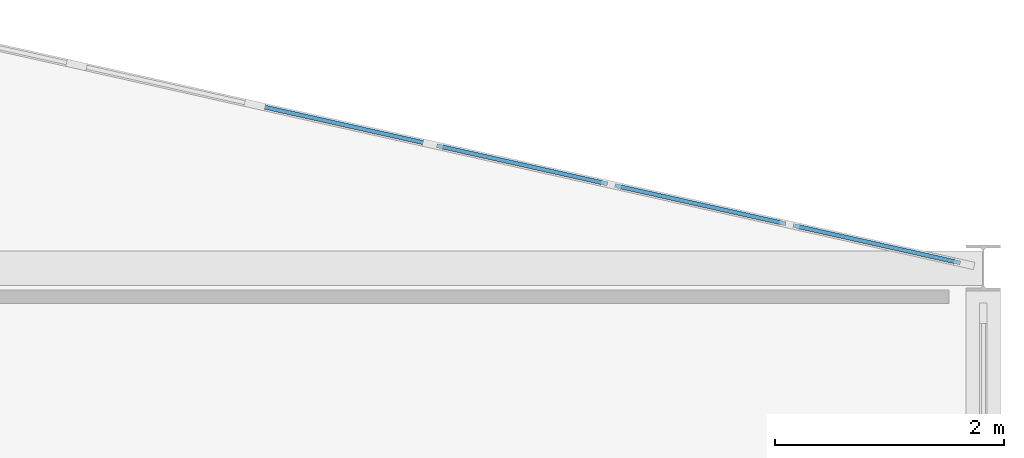
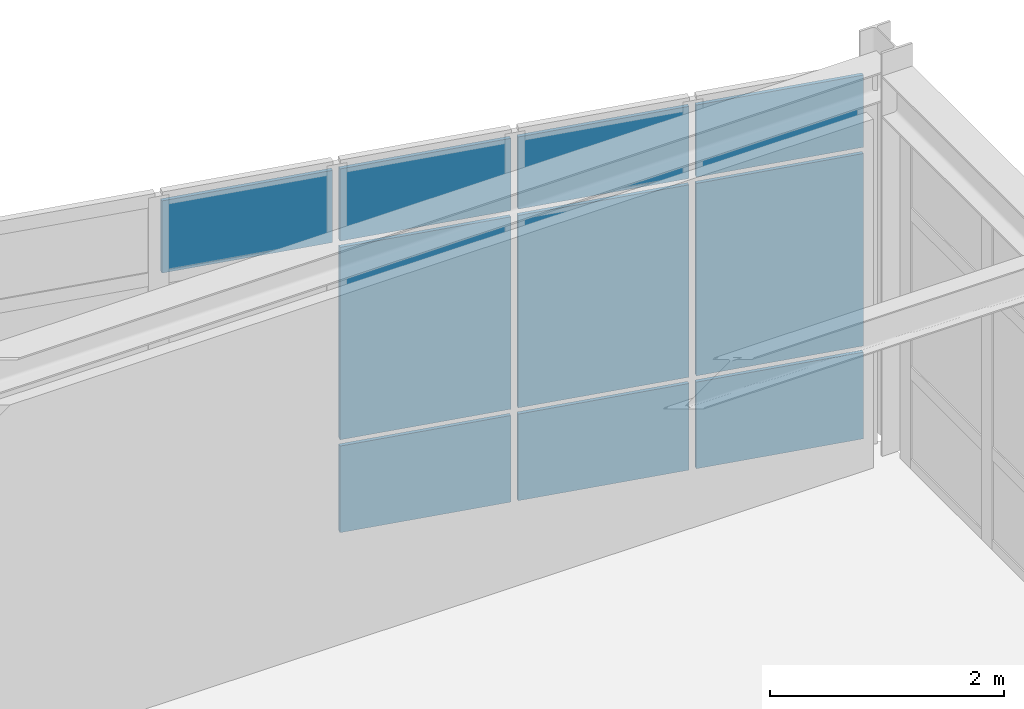
# One storey, part 37 of 47: 10 plates, 1 element without a shape of its own.
"""IFC4 building model written with IfcOpenShell, lengths in metres."""

from ifc_helpers import new_model, si_unit, direction, frame, origin, origin_2d, place, context, subcontext, project, spatial, rectangle, extrude, material, layer, layer_set, type_object, element, aggregate, save


model = new_model("IFC4")

# Units and contexts
model_context = context("Model", 3, precision=1e-05, world=origin(), true_north=direction((0.0, 1.0)))
body_context = subcontext(model_context, "Body", "Model", "MODEL_VIEW")
ifc_project = project(units=[si_unit("LENGTHUNIT", "METRE"), si_unit("AREAUNIT", "SQUARE_METRE"), si_unit("VOLUMEUNIT", "CUBIC_METRE"), si_unit("PLANEANGLEUNIT", "RADIAN"), si_unit("MASSUNIT", "GRAM", prefix="KILO")], contexts=[model_context])

# Site, building, storey
site_placement = place(None, origin())
site = spatial("IfcSite", under=ifc_project, at=site_placement, CompositionType="ELEMENT")
building_placement = place(site_placement, origin())
building = spatial("IfcBuilding", under=site, at=building_placement, Name="Nordkorset Police Headquarters", CompositionType="ELEMENT")
storey_placement = place(building_placement, frame((0.0, 0.0, 22.050048828125)))
storey = spatial("IfcBuildingStorey", under=building, at=storey_placement, Name="L05", CompositionType="ELEMENT", Elevation=22.050048828125)

# Curtain wall, plates
ifc_material_1 = material(Name="Aluminium alloy AW-6060", Category="aluminium")
ifc_layer_1 = layer(ifc_material_1, 0.179931640625, Name="Aluminium alloy AW-6060")
ifc_layer_set_1 = layer_set([ifc_layer_1], Name="Aluminium alloy AW-6060")
curtain_wall_type = type_object("IfcCurtainWallType", Name="CW_Unit_956x392", PredefinedType="USERDEFINED", material=ifc_layer_set_1)
curtain_wall_placement = place(storey_placement, origin())
curtain_wall = element("IfcCurtainWall", 1, at=curtain_wall_placement, inside=storey, type_object=curtain_wall_type, Name="Unitised Curtain Wall L05 V2N-5", ObjectType="UNITISED CURTAIN WALL", PredefinedType="USERDEFINED")
ifc_material_2 = material(Name="Low-iron triple glazing", Category="glass")
ifc_layer_2 = layer(ifc_material_2, 0.035888671875, Name="Low-iron triple glazing")
ifc_layer_set_2 = layer_set([ifc_layer_2], Name="Low-iron triple glazing")
plate_type = type_object("IfcPlateType", Name="CW_Panel_TripleGlazing_36", PredefinedType="CURTAIN_PANEL", material=ifc_layer_set_2)
plate_1_placement = place(storey_placement, frame((80.82275390625, 118.049072265625, 3.1025390625), z_axis=(0.0, 0.0, 1.0), x_axis=(0.975827090814, -0.218544020358, 0.0)))
plate_1 = element("IfcPlate", 2, at=plate_1_placement, type_object=plate_type, Name="CW-41 panel 3.3", PredefinedType="CURTAIN_PANEL", context=body_context, shape_type="SweptSolid", body=[
    extrude(rectangle(XDim=1.528076171875, YDim=0.035888671875, at=origin_2d()), origin(), (0.0, 0.0, 1.0), 0.75244140625),
])
plate_2_placement = place(storey_placement, frame((82.377197265625, 117.700927734375, 0.06494140625), z_axis=(0.0, 0.0, 1.0), x_axis=(0.975827090814, -0.218544020358, 0.0)))
plate_2 = element("IfcPlate", 3, at=plate_2_placement, type_object=plate_type, Name="CW-41 panel 4.1", PredefinedType="CURTAIN_PANEL", context=body_context, shape_type="SweptSolid", body=[
    extrude(rectangle(XDim=1.528076171875, YDim=0.035888671875, at=origin_2d()), origin(), (0.0, 0.0, 1.0), 0.902587890625),
])
plate_3_placement = place(storey_placement, frame((82.377197265625, 117.700927734375, 1.032470703125), z_axis=(0.0, 0.0, 1.0), x_axis=(0.975827090814, -0.218544020358, 0.0)))
plate_3 = element("IfcPlate", 4, at=plate_3_placement, type_object=plate_type, Name="CW-41 panel 4.2", PredefinedType="CURTAIN_PANEL", context=body_context, shape_type="SweptSolid", body=[
    extrude(rectangle(XDim=1.528076171875, YDim=0.035888671875, at=origin_2d()), origin(), (0.0, 0.0, 1.0), 2.0048828125),
])
plate_4_placement = place(storey_placement, frame((82.377197265625, 117.700927734375, 3.1025390625), z_axis=(0.0, 0.0, 1.0), x_axis=(0.975827090814, -0.218544020358, 0.0)))
plate_4 = element("IfcPlate", 5, at=plate_4_placement, type_object=plate_type, Name="CW-41 panel 4.3", PredefinedType="CURTAIN_PANEL", context=body_context, shape_type="SweptSolid", body=[
    extrude(rectangle(XDim=1.528076171875, YDim=0.035888671875, at=origin_2d()), origin(), (0.0, 0.0, 1.0), 0.75244140625),
])
plate_5_placement = place(storey_placement, frame((83.931640625, 117.352783203125, 0.06494140625), z_axis=(0.0, 0.0, 1.0), x_axis=(0.975827090814, -0.218544020358, 0.0)))
plate_5 = element("IfcPlate", 6, at=plate_5_placement, type_object=plate_type, Name="CW-41 panel 5.1", PredefinedType="CURTAIN_PANEL", context=body_context, shape_type="SweptSolid", body=[
    extrude(rectangle(XDim=1.528076171875, YDim=0.035888671875, at=origin_2d()), origin(), (0.0, 0.0, 1.0), 0.902587890625),
])
plate_6_placement = place(storey_placement, frame((83.931640625, 117.352783203125, 1.032470703125), z_axis=(0.0, 0.0, 1.0), x_axis=(0.975827090814, -0.218544020358, 0.0)))
plate_6 = element("IfcPlate", 7, at=plate_6_placement, type_object=plate_type, Name="CW-41 panel 5.2", PredefinedType="CURTAIN_PANEL", context=body_context, shape_type="SweptSolid", body=[
    extrude(rectangle(XDim=1.528076171875, YDim=0.035888671875, at=origin_2d()), origin(), (0.0, 0.0, 1.0), 2.0048828125),
])
plate_7_placement = place(storey_placement, frame((83.931640625, 117.352783203125, 3.1025390625), z_axis=(0.0, 0.0, 1.0), x_axis=(0.975827090814, -0.218544020358, 0.0)))
plate_7 = element("IfcPlate", 8, at=plate_7_placement, type_object=plate_type, Name="CW-41 panel 5.3", PredefinedType="CURTAIN_PANEL", context=body_context, shape_type="SweptSolid", body=[
    extrude(rectangle(XDim=1.528076171875, YDim=0.035888671875, at=origin_2d()), origin(), (0.0, 0.0, 1.0), 0.75244140625),
])
plate_8_placement = place(storey_placement, frame((85.47021484375, 117.00830078125, 0.06494140625), z_axis=(0.0, 0.0, 1.0), x_axis=(0.975827090814, -0.218544020358, 0.0)))
plate_8 = element("IfcPlate", 9, at=plate_8_placement, type_object=plate_type, Name="CW-41 panel 6.1", PredefinedType="CURTAIN_PANEL", context=body_context, shape_type="SweptSolid", body=[
    extrude(rectangle(XDim=1.495361328125, YDim=0.035888671875, at=origin_2d()), origin(), (0.0, 0.0, 1.0), 0.902587890625),
])
plate_9_placement = place(storey_placement, frame((85.47021484375, 117.00830078125, 1.032470703125), z_axis=(0.0, 0.0, 1.0), x_axis=(0.975827090814, -0.218544020358, 0.0)))
plate_9 = element("IfcPlate", 10, at=plate_9_placement, type_object=plate_type, Name="CW-41 panel 6.2", PredefinedType="CURTAIN_PANEL", context=body_context, shape_type="SweptSolid", body=[
    extrude(rectangle(XDim=1.495361328125, YDim=0.035888671875, at=origin_2d()), origin(), (0.0, 0.0, 1.0), 2.0048828125),
])
plate_10_placement = place(storey_placement, frame((85.47021484375, 117.00830078125, 3.1025390625), z_axis=(0.0, 0.0, 1.0), x_axis=(0.975827090814, -0.218544020358, 0.0)))
plate_10 = element("IfcPlate", 11, at=plate_10_placement, type_object=plate_type, Name="CW-41 panel 6.3", PredefinedType="CURTAIN_PANEL", context=body_context, shape_type="SweptSolid", body=[
    extrude(rectangle(XDim=1.495361328125, YDim=0.035888671875, at=origin_2d()), origin(), (0.0, 0.0, 1.0), 0.75244140625),
])
aggregate(curtain_wall, [plate_1, plate_2, plate_3, plate_4, plate_5, plate_6, plate_7, plate_8, plate_9, plate_10])

save(model, "model.ifc")
